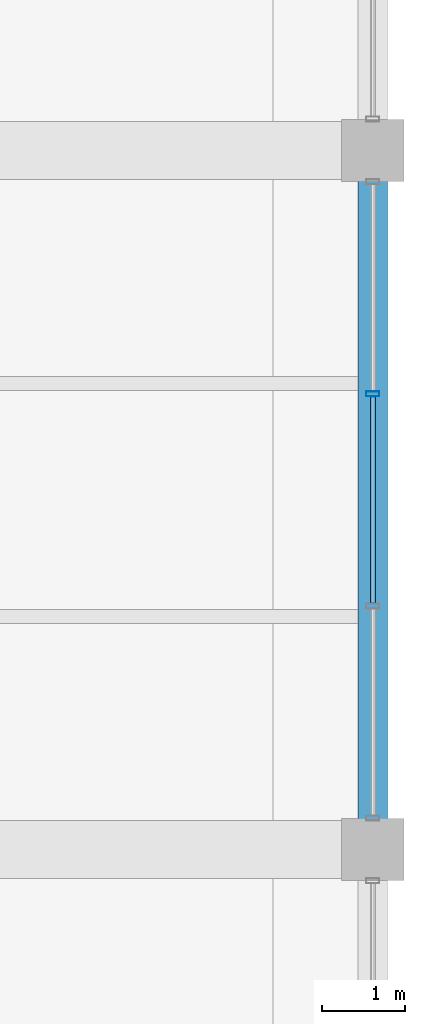
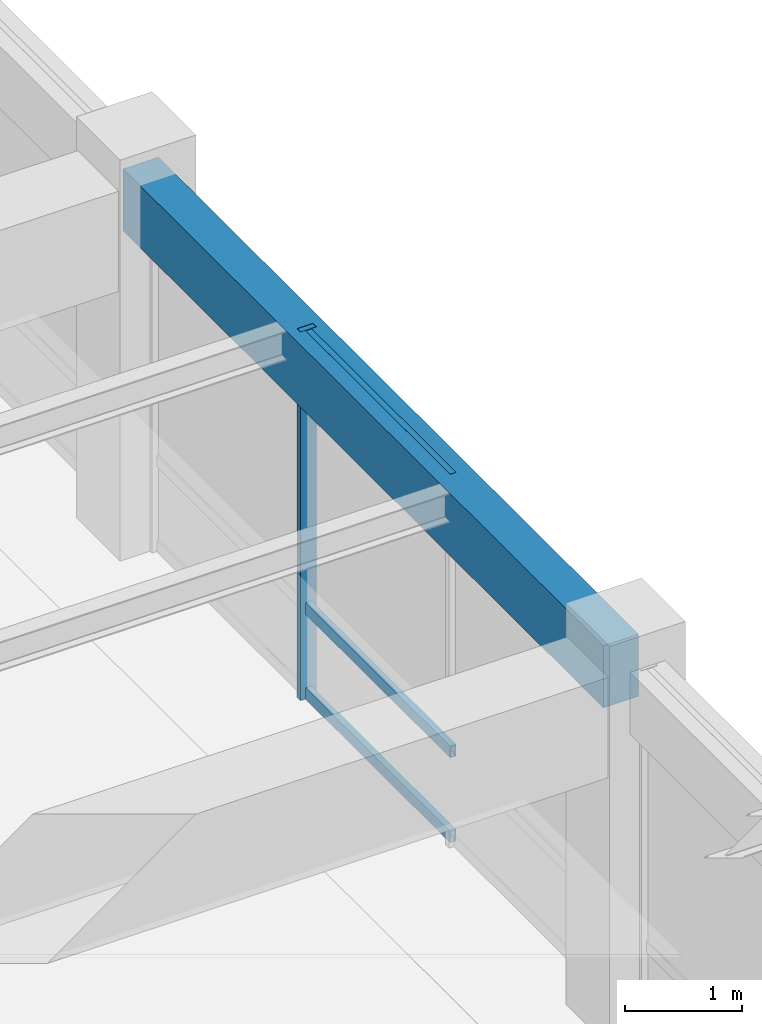
# One storey, part 105 of 152: 4 members, 1 beam, 1 element without a shape of its own.
"""IFC4 building model written with IfcOpenShell, lengths in metres."""

from ifc_helpers import new_model, si_unit, direction, frame, origin, origin_2d, place, context, subcontext, project, spatial, rectangle, hollow_rectangle, extrude, material, material_profile, profile_set, type_object, element, aggregate, save


model = new_model("IFC4")

# Units and contexts
model_context = context("Model", 3, precision=1e-05, world=origin(), true_north=direction((0.0, 1.0)))
body_context = subcontext(model_context, "Body", "Model", "MODEL_VIEW")
ifc_project = project(units=[si_unit("LENGTHUNIT", "METRE"), si_unit("AREAUNIT", "SQUARE_METRE"), si_unit("VOLUMEUNIT", "CUBIC_METRE"), si_unit("PLANEANGLEUNIT", "RADIAN"), si_unit("MASSUNIT", "GRAM", prefix="KILO"), si_unit("THERMODYNAMICTEMPERATUREUNIT", "KELVIN"), si_unit("POWERUNIT", "WATT")], contexts=[model_context])

# Site, building, storey
site_placement = place(None, origin())
site = spatial("IfcSite", under=ifc_project, at=site_placement, CompositionType="ELEMENT")
building_placement = place(site_placement, origin())
building = spatial("IfcBuilding", under=site, at=building_placement, Name="Darbajah Civic Hall", CompositionType="ELEMENT")
storey_placement = place(building_placement, frame((0.0, 0.0, 5.39990234375)))
storey = spatial("IfcBuildingStorey", under=building, at=storey_placement, Name="L01", CompositionType="ELEMENT", Elevation=5.39990234375)

# Curtain wall, members
ifc_material_1 = material(Name="Anodised Bronze Aluminium and Low-E Glazing", Category="aluminium")
curtain_wall_type = type_object("IfcCurtainWallType", Name="Unitised Curtain Wall CW-96 7600x3850", PredefinedType="USERDEFINED", material=ifc_material_1)
curtain_wall_placement = place(storey_placement, origin())
curtain_wall = element("IfcCurtainWall", 1, at=curtain_wall_placement, inside=storey, type_object=curtain_wall_type, Name="L01 unitised curtain wall CW-V4-L01-S1-B4", ObjectType="UNITISED CURTAIN WALL", PredefinedType="USERDEFINED")
ifc_material_2 = material(Name="Anodised Bronze Aluminium", Category="aluminium")
ifc_material_profile_1 = material_profile(ifc_material_2, hollow_rectangle(XDim=0.06005859375, YDim=0.159912109375, WallThickness=0.00341796875, at=origin_2d()), Name="ALU MULLION 60x160")
ifc_profile_set_1 = profile_set([ifc_material_profile_1], Name="Anodised Bronze Aluminium")
member_type_1 = type_object("IfcMemberType", Name="ALU MULLION 60x160", PredefinedType="MULLION", material=ifc_profile_set_1)
member_1_placement = place(storey_placement, frame((178.199951171875, 95.474365234375, 0.0), z_axis=(0.0, 0.0, 1.0), x_axis=(0.0, 1.0, 0.0)))
member_1 = element("IfcMember", 2, at=member_1_placement, type_object=member_type_1, Name="CW-V4-L01-S1-B4 mullion 3", PredefinedType="MULLION", context=body_context, shape_type="SweptSolid", body=[
    extrude(hollow_rectangle(XDim=0.06005859375, YDim=0.159912109375, WallThickness=0.00341796875, at=origin_2d()), origin(), (0.0, 0.0, 1.0), 3.860107421875),
])
ifc_material_profile_2 = material_profile(ifc_material_2, hollow_rectangle(XDim=0.06005859375, YDim=0.1201171875, WallThickness=0.003173828125, at=origin_2d()), Name="ALU TRANSOM 60x120")
ifc_profile_set_2 = profile_set([ifc_material_profile_2], Name="Anodised Bronze Aluminium")
member_type_2 = type_object("IfcMemberType", Name="ALU TRANSOM 60x120", PredefinedType="USERDEFINED", material=ifc_profile_set_2)
member_2_placement = place(storey_placement, frame((178.199951171875, 92.960693359375, 0.06005859375), z_axis=(0.0, 1.0, 0.0), x_axis=(-1.0, 0.0, 0.0)))
member_2 = element("IfcMember", 3, at=member_2_placement, type_object=member_type_2, Name="CW-V4-L01-S1-B4 transom 2.1", ObjectType="TRANSOM", PredefinedType="USERDEFINED", context=body_context, shape_type="SweptSolid", body=[
    extrude(hollow_rectangle(XDim=0.06005859375, YDim=0.1201171875, WallThickness=0.003173828125, at=origin_2d()), origin(), (0.0, 0.0, 1.0), 2.478515625),
])
member_3_placement = place(storey_placement, frame((178.199951171875, 92.960693359375, 0.9501953125), z_axis=(0.0, 1.0, 0.0), x_axis=(-1.0, 0.0, 0.0)))
member_3 = element("IfcMember", 4, at=member_3_placement, type_object=member_type_2, Name="CW-V4-L01-S1-B4 transom 2.2", ObjectType="TRANSOM", PredefinedType="USERDEFINED", context=body_context, shape_type="SweptSolid", body=[
    extrude(hollow_rectangle(XDim=0.06005859375, YDim=0.1201171875, WallThickness=0.003173828125, at=origin_2d()), origin(), (0.0, 0.0, 1.0), 2.478515625),
])
member_4_placement = place(storey_placement, frame((178.199951171875, 92.960693359375, 3.800048828125), z_axis=(0.0, 1.0, 0.0), x_axis=(-1.0, 0.0, 0.0)))
member_4 = element("IfcMember", 5, at=member_4_placement, type_object=member_type_2, Name="CW-V4-L01-S1-B4 transom 2.3", ObjectType="TRANSOM", PredefinedType="USERDEFINED", context=body_context, shape_type="SweptSolid", body=[
    extrude(hollow_rectangle(XDim=0.06005859375, YDim=0.1201171875, WallThickness=0.003173828125, at=origin_2d()), origin(), (0.0, 0.0, 1.0), 2.478515625),
])
aggregate(curtain_wall, [member_1, member_2, member_3, member_4])

# Beam
ifc_material_3 = material(Name="Concrete C45/55", Category="concrete")
ifc_material_profile_3 = material_profile(ifc_material_3, rectangle(XDim=0.35009765625, YDim=0.64990234375, at=origin_2d()), Name="RC SPANDREL 350x650")
ifc_profile_set_3 = profile_set([ifc_material_profile_3], Name="Concrete C45/55")
beam_type = type_object("IfcBeamType", Name="RC SPANDREL 350x650", PredefinedType="SPANDREL", material=ifc_profile_set_3)
beam_placement = place(storey_placement, frame((178.199951171875, 90.080078125, 3.53515625), z_axis=(0.0, 1.0, 0.0), x_axis=(-1.0, 0.0, 0.0)))
element("IfcBeam", 6, at=beam_placement, inside=storey, type_object=beam_type, Name="L01 beam SP-3565", PredefinedType="SPANDREL", context=body_context, shape_type="SweptSolid", body=[
    extrude(rectangle(XDim=0.35009765625, YDim=0.64990234375, at=origin_2d()), origin(), (0.0, 0.0, 1.0), 8.239990234375),
])

save(model, "model.ifc")
